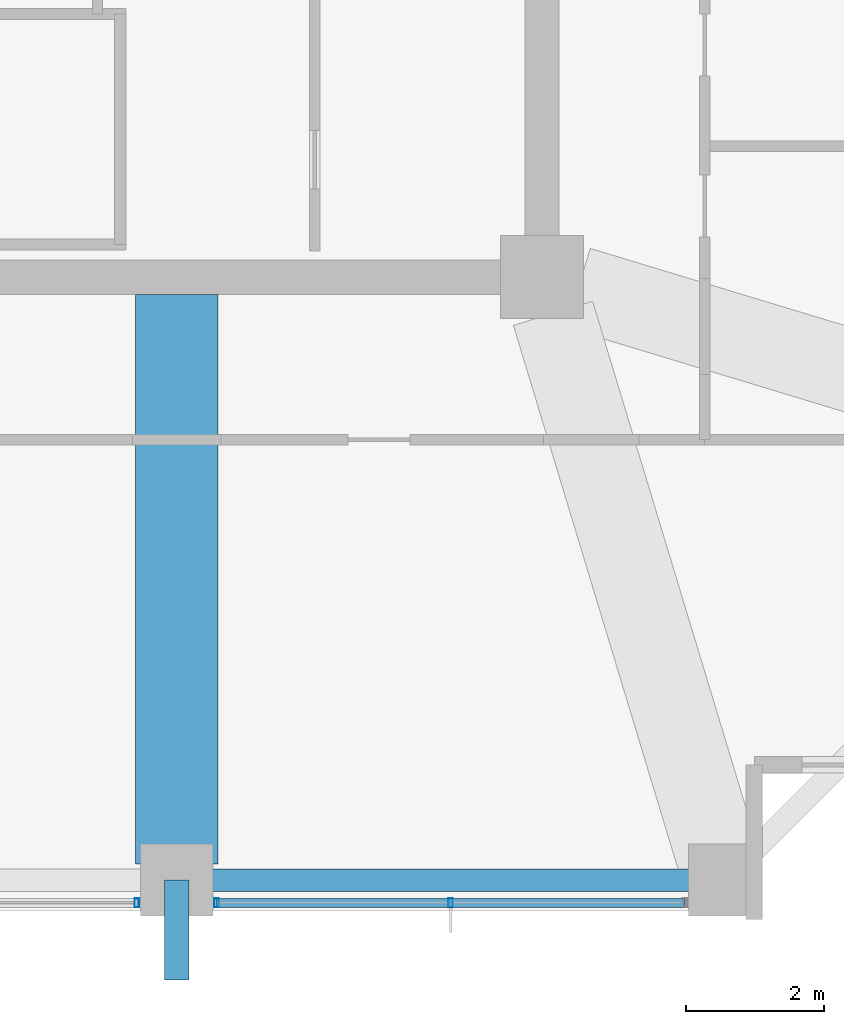
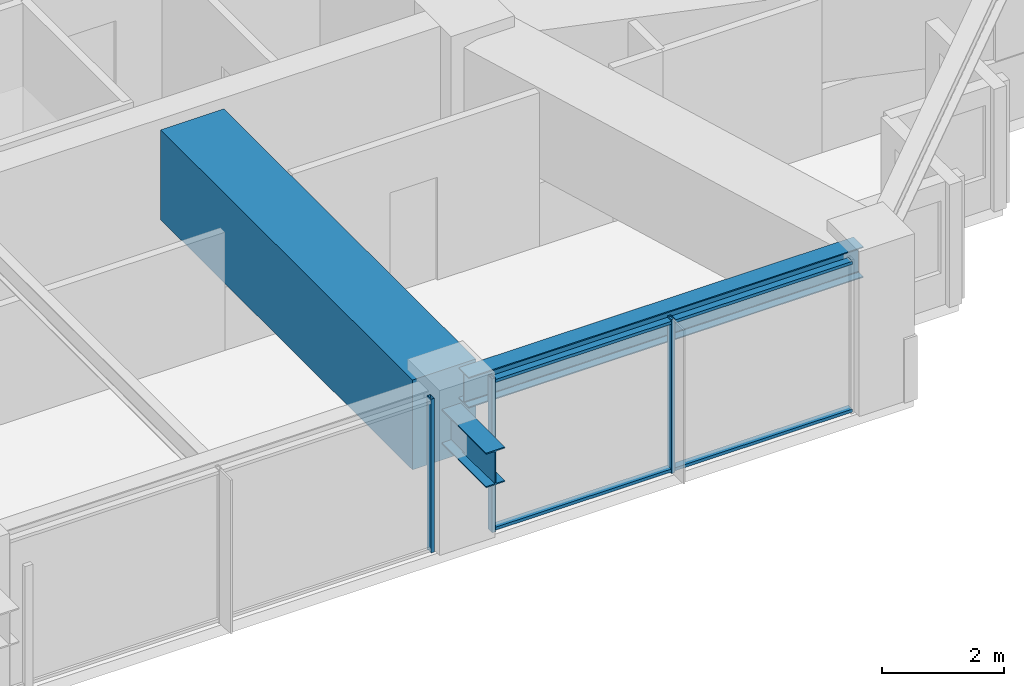
# One storey, part 7 of 36: 5 members, 3 beams, 2 elements without a shape of their own.
"""IFC4 building model written with IfcOpenShell, lengths in metres."""

from ifc_helpers import new_model, si_unit, direction, frame, origin, origin_2d, place, context, subcontext, project, spatial, rectangle, hollow_rectangle, i_section, extrude, material, material_profile, profile_set, type_object, element, aggregate, save


model = new_model("IFC4")

# Units and contexts
model_context = context("Model", 3, precision=1e-05, world=origin(), true_north=direction((0.0, 1.0)))
body_context = subcontext(model_context, "Body", "Model", "MODEL_VIEW")
ifc_project = project(units=[si_unit("LENGTHUNIT", "METRE"), si_unit("AREAUNIT", "SQUARE_METRE"), si_unit("VOLUMEUNIT", "CUBIC_METRE"), si_unit("PLANEANGLEUNIT", "RADIAN"), si_unit("MASSUNIT", "GRAM", prefix="KILO")], contexts=[model_context])

# Site, building, storey
site_placement = place(None, origin())
site = spatial("IfcSite", under=ifc_project, at=site_placement, CompositionType="ELEMENT")
building_placement = place(site_placement, origin())
building = spatial("IfcBuilding", under=site, at=building_placement, Name="Kolvaren Belvedere", CompositionType="ELEMENT")
storey_placement = place(building_placement, frame((0.0, 0.0, 108.5)))
storey = spatial("IfcBuildingStorey", under=building, at=storey_placement, Name="L31", CompositionType="ELEMENT", Elevation=108.5)

# Beams
ifc_material_1 = material(Name="Structural steel ASTM A992 Grade 50", Category="steel")
ifc_material_profile_1 = material_profile(ifc_material_1, i_section(OverallWidth=0.35498046875, OverallDepth=0.696044921875, WebThickness=0.015380859375, FlangeThickness=0.02490234375, FilletRadius=0.02197265625, at=origin_2d()), Name="W27X146")
ifc_profile_set_1 = profile_set([ifc_material_profile_1], Name="Structural steel ASTM A992 Grade 50")
beam_type_1 = type_object("IfcBeamType", Name="BM-CANT-BAL", PredefinedType="BEAM", material=ifc_profile_set_1)
beam_1_placement = place(storey_placement, frame((4.60009765625, -18.64990234375, 2.14208984375), z_axis=(0.0, -1.0, 0.0), x_axis=(1.0, 0.0, 0.0)))
element("IfcBeam", 1, at=beam_1_placement, inside=storey, type_object=beam_type_1, Name="L31 South Picture-Frame Column Corbel P", PredefinedType="BEAM", context=body_context, shape_type="SweptSolid", body=[
    extrude(i_section(OverallWidth=0.35498046875, OverallDepth=0.696044921875, WebThickness=0.015380859375, FlangeThickness=0.02490234375, FilletRadius=0.02197265625, at=origin_2d()), origin(), (0.0, 0.0, 1.0), 1.4501953125),
])
ifc_material_2 = material(Name="Structural steel ASTM A992 Grade 50", Category="steel")
ifc_material_profile_2 = material_profile(ifc_material_2, i_section(OverallWidth=0.324951171875, OverallDepth=0.615966796875, WebThickness=0.013916015625, FlangeThickness=0.021484375, FilletRadius=0.02001953125, at=origin_2d()), Name="W24X117")
ifc_profile_set_2 = profile_set([ifc_material_profile_2], Name="Structural steel ASTM A992 Grade 50")
beam_type_2 = type_object("IfcBeamType", Name="BM-SPAN-W24X117", PredefinedType="SPANDREL", material=ifc_profile_set_2)
beam_2_placement = place(storey_placement, frame((4.836181640625, -18.64990234375, 2.77197265625), z_axis=(1.0, 0.0, 0.0), x_axis=(0.0, 1.0, 0.0)))
element("IfcBeam", 2, at=beam_2_placement, inside=storey, type_object=beam_type_2, Name="L31 Perimeter Spandrel S3-S4", PredefinedType="SPANDREL", context=body_context, shape_type="SweptSolid", body=[
    extrude(i_section(OverallWidth=0.324951171875, OverallDepth=0.615966796875, WebThickness=0.013916015625, FlangeThickness=0.021484375, FilletRadius=0.02001953125, at=origin_2d()), origin(), (0.0, 0.0, 1.0), 7.4775390625),
])
ifc_material_3 = material(Name="Concrete C50/60", Category="concrete")
ifc_material_profile_3 = material_profile(ifc_material_3, rectangle(XDim=1.199951171875, YDim=1.800048828125, at=origin_2d()), Name="RC 1200X1800")
ifc_profile_set_3 = profile_set([ifc_material_profile_3], Name="Concrete C50/60")
beam_type_3 = type_object("IfcBeamType", Name="BM-TG-1800", PredefinedType="BEAM", material=ifc_profile_set_3)
beam_3_placement = place(storey_placement, frame((4.60009765625, -10.14990234375, 2.179931640625), z_axis=(0.0, -1.0, 0.0), x_axis=(1.0, 0.0, 0.0)))
element("IfcBeam", 3, at=beam_3_placement, inside=storey, type_object=beam_type_3, Name="L31 South Radial Girder P", PredefinedType="BEAM", context=body_context, shape_type="SweptSolid", body=[
    extrude(rectangle(XDim=1.199951171875, YDim=1.800048828125, at=origin_2d()), origin(), (0.0, 0.0, 1.0), 8.263916015625),
])

# Curtain wall, members
ifc_material_4 = material(Name="Anodised pale-metal aluminium AA 6063-T6", Category="aluminium")
curtain_wall_type = type_object("IfcCurtainWallType", Name="CW-Z3-WAIST", PredefinedType="NOTDEFINED", material=ifc_material_4)
curtain_wall_1_placement = place(storey_placement, origin())
curtain_wall_1 = element("IfcCurtainWall", 4, at=curtain_wall_1_placement, inside=storey, type_object=curtain_wall_type, Name="L31 Unitised Curtain Wall FCW-L31-S-B1", PredefinedType="NOTDEFINED")
ifc_material_5 = material(Name="Anodised pale-metal aluminium AA 6063-T6", Category="aluminium")
ifc_material_profile_4 = material_profile(ifc_material_5, hollow_rectangle(XDim=0.06494140625, YDim=0.1298828125, WallThickness=0.00390625, at=origin_2d()), Name="ALU-MUL-130X65")
ifc_profile_set_4 = profile_set([ifc_material_profile_4], Name="Anodised pale-metal aluminium AA 6063-T6")
member_type_1 = type_object("IfcMemberType", Name="CW-MUL-130", PredefinedType="MULLION", material=ifc_profile_set_4)
member_1_placement = place(storey_placement, frame((8.574951171875, -18.97998046875, 0.0), z_axis=(0.0, 0.0, 1.0), x_axis=(1.0, 0.0, 0.0)))
member_1 = element("IfcMember", 5, at=member_1_placement, type_object=member_type_1, Name="FCW-L31-S-B1 Unitised Mullion 2", PredefinedType="MULLION", context=body_context, shape_type="SweptSolid", body=[
    extrude(hollow_rectangle(XDim=0.06494140625, YDim=0.1298828125, WallThickness=0.00390625, at=origin_2d()), origin(), (0.0, 0.0, 1.0), 3.080078125),
])
member_2_placement = place(storey_placement, frame((5.177490234375, -18.97998046875, 0.0), z_axis=(0.0, 0.0, 1.0), x_axis=(1.0, 0.0, 0.0)))
member_2 = element("IfcMember", 6, at=member_2_placement, type_object=member_type_1, Name="FCW-L31-S-B1 Unitised Mullion 3", PredefinedType="MULLION", context=body_context, shape_type="SweptSolid", body=[
    extrude(hollow_rectangle(XDim=0.06494140625, YDim=0.1298828125, WallThickness=0.00390625, at=origin_2d()), origin(), (0.0, 0.0, 1.0), 3.080078125),
])

# Curtain wall, member
curtain_wall_2_placement = place(storey_placement, origin())
curtain_wall_2 = element("IfcCurtainWall", 7, at=curtain_wall_2_placement, inside=storey, type_object=curtain_wall_type, Name="L31 Unitised Curtain Wall FCW-L31-S-B2", PredefinedType="NOTDEFINED")
member_3_placement = place(storey_placement, frame((4.0224609375, -18.97998046875, 0.0), z_axis=(0.0, 0.0, 1.0), x_axis=(1.0, 0.0, 0.0)))
member_3 = element("IfcMember", 8, at=member_3_placement, type_object=member_type_1, Name="FCW-L31-S-B2 Unitised Mullion 1", PredefinedType="MULLION", context=body_context, shape_type="SweptSolid", body=[
    extrude(hollow_rectangle(XDim=0.06494140625, YDim=0.1298828125, WallThickness=0.00390625, at=origin_2d()), origin(), (0.0, 0.0, 1.0), 3.080078125),
])
aggregate(curtain_wall_2, [member_3])

# Member
ifc_material_6 = material(Name="Anodised pale-metal aluminium AA 6063-T6", Category="aluminium")
ifc_material_profile_5 = material_profile(ifc_material_6, hollow_rectangle(XDim=0.06005859375, YDim=0.1298828125, WallThickness=0.00390625, at=origin_2d()), Name="ALU-TRN-130X60")
ifc_profile_set_5 = profile_set([ifc_material_profile_5], Name="Anodised pale-metal aluminium AA 6063-T6")
member_type_2 = type_object("IfcMemberType", Name="CW-TRN-130", PredefinedType="USERDEFINED", material=ifc_profile_set_5)
member_4_placement = place(storey_placement, frame((11.972412109375, -18.97998046875, 0.06005859375), z_axis=(-1.0, 0.0, 0.0), x_axis=(0.0, 0.0, 1.0)))
member_4 = element("IfcMember", 9, at=member_4_placement, type_object=member_type_2, Name="FCW-L31-S-B1 Sill Transom", ObjectType="TRANSOM", PredefinedType="USERDEFINED", context=body_context, shape_type="SweptSolid", body=[
    extrude(hollow_rectangle(XDim=0.06005859375, YDim=0.1298828125, WallThickness=0.00390625, at=origin_2d()), origin(), (0.0, 0.0, 1.0), 6.794921875),
])

member_5_placement = place(storey_placement, frame((11.972412109375, -18.97998046875, 3.02001953125), z_axis=(-1.0, 0.0, 0.0), x_axis=(0.0, 0.0, 1.0)))
member_5 = element("IfcMember", 10, at=member_5_placement, type_object=member_type_2, Name="FCW-L31-S-B1 Head Transom", ObjectType="TRANSOM", PredefinedType="USERDEFINED", context=body_context, shape_type="SweptSolid", body=[
    extrude(hollow_rectangle(XDim=0.06005859375, YDim=0.1298828125, WallThickness=0.00390625, at=origin_2d()), origin(), (0.0, 0.0, 1.0), 6.794921875),
])

aggregate(curtain_wall_1, [member_1, member_2, member_4, member_5])

save(model, "model.ifc")
